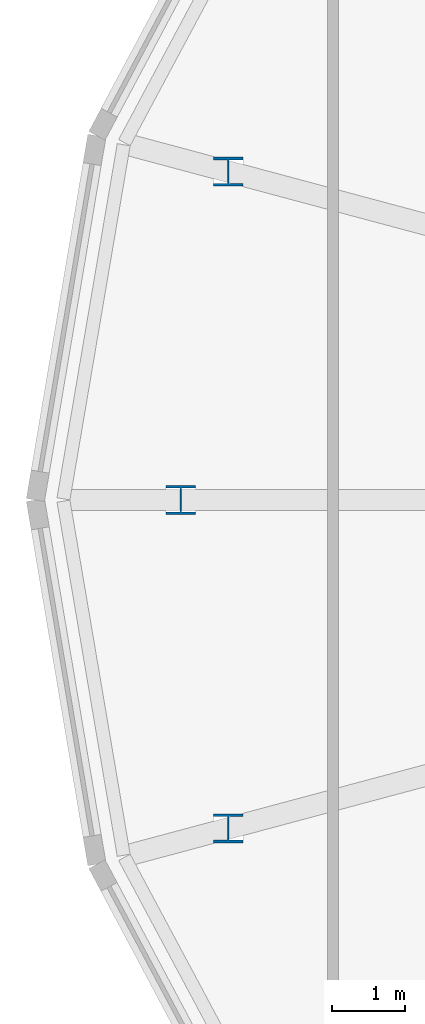
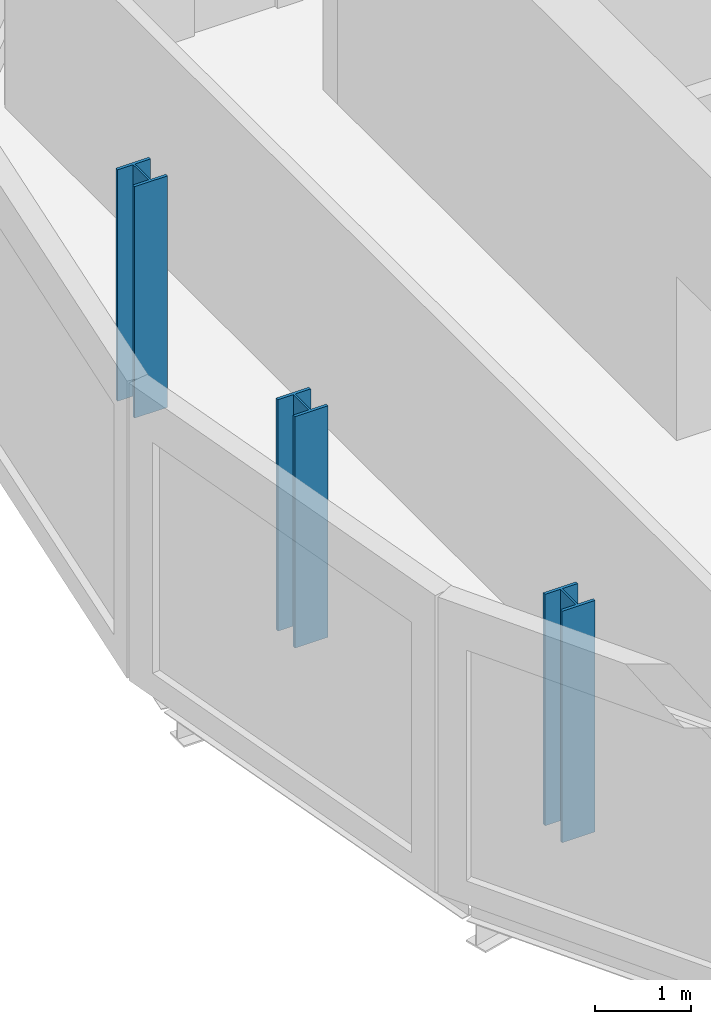
# One storey, part 1 of 38: 3 columns.
"""IFC4 building model written with IfcOpenShell, lengths in metres."""

from ifc_helpers import new_model, si_unit, direction, frame, origin, origin_2d, place, context, subcontext, project, spatial, i_section, extrude, material, material_profile, profile_set, type_object, element, save


model = new_model("IFC4")

# Units and contexts
model_context = context("Model", 3, precision=1e-05, world=origin(), true_north=direction((0.0, 1.0)))
body_context = subcontext(model_context, "Body", "Model", "MODEL_VIEW")
ifc_project = project(units=[si_unit("LENGTHUNIT", "METRE"), si_unit("AREAUNIT", "SQUARE_METRE"), si_unit("VOLUMEUNIT", "CUBIC_METRE"), si_unit("PLANEANGLEUNIT", "RADIAN"), si_unit("MASSUNIT", "GRAM", prefix="KILO")], contexts=[model_context])

# Site, building, storey
site_placement = place(None, origin())
site = spatial("IfcSite", under=ifc_project, at=site_placement, CompositionType="ELEMENT")
building_placement = place(site_placement, origin())
building = spatial("IfcBuilding", under=site, at=building_placement, Name="Rimbun Link Towers", CompositionType="ELEMENT")
storey_placement = place(building_placement, frame((0.0, 0.0, 185.5)))
storey = spatial("IfcBuildingStorey", under=building, at=storey_placement, Name="L45", CompositionType="ELEMENT", Elevation=185.5)

# Columns
ifc_material = material(Name="Steel S355J2", Category="steel")
ifc_material_profile = material_profile(ifc_material, i_section(OverallWidth=0.39892578125, OverallDepth=0.3935546875, WebThickness=0.022705078125, FlangeThickness=0.03662109375, at=origin_2d()), Name="UC 356x406x287")
ifc_profile_set = profile_set([ifc_material_profile], Name="Steel S355J2")
column_type = type_object("IfcColumnType", Name="UC 356x406x287", PredefinedType="COLUMN", material=ifc_profile_set)
for number, where, z_axis, x_axis, name in (
    (1, (-48.4501953125, 4.474853515625, -0.14990234375), (0.0, 0.0, 1.0), (1.0, 0.0, 0.0), "Crease post T1 L45 11"),
    (2, (-49.09619140625, 0.0, -0.14990234375), (0.0, 0.0, 1.0), (1.0, 0.0, 0.0), "Crease post T1 L45 12"),
    (3, (-48.4501953125, -4.474853515625, -0.14990234375), (0.0, 0.0, 1.0), (1.0, 0.0, 0.0), "Crease post T1 L45 13"),
):
    element("IfcColumn", number, at=place(storey_placement, frame(where, z_axis=z_axis, x_axis=x_axis)), inside=storey, type_object=column_type, Name=name, PredefinedType="COLUMN", context=body_context, shape_type="SweptSolid", body=[
        extrude(i_section(OverallWidth=0.39892578125, OverallDepth=0.3935546875, WebThickness=0.022705078125, FlangeThickness=0.03662109375, at=origin_2d()), origin(), (0.0, 0.0, 1.0), 2.959228515625),
    ])

save(model, "model.ifc")
